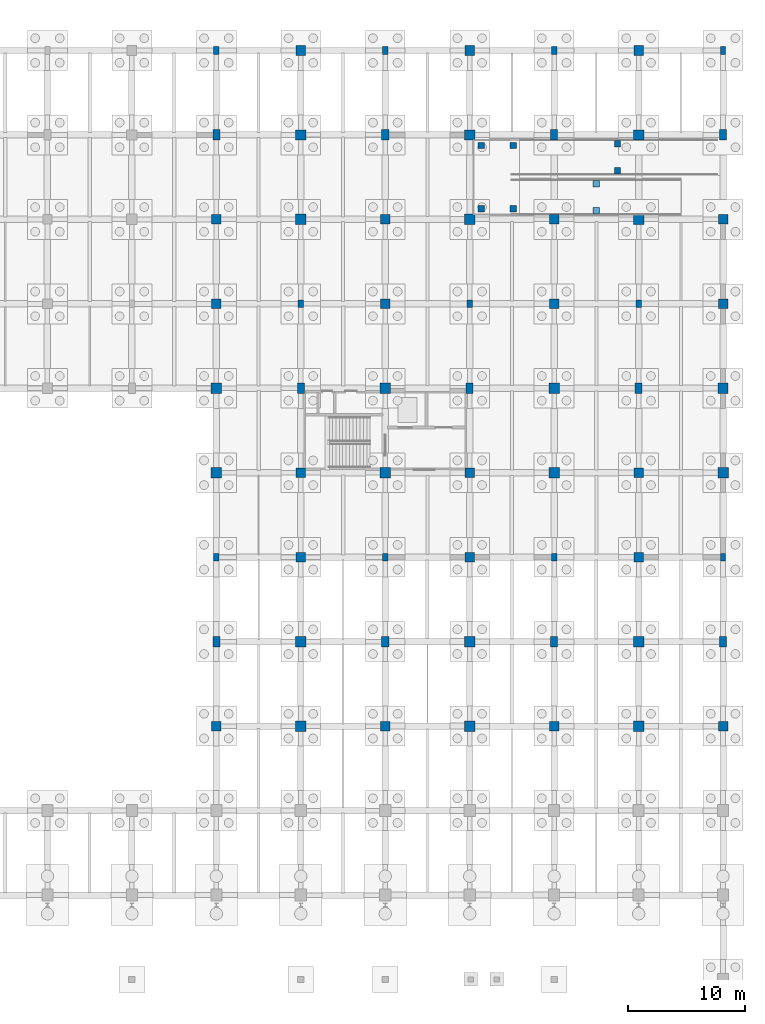
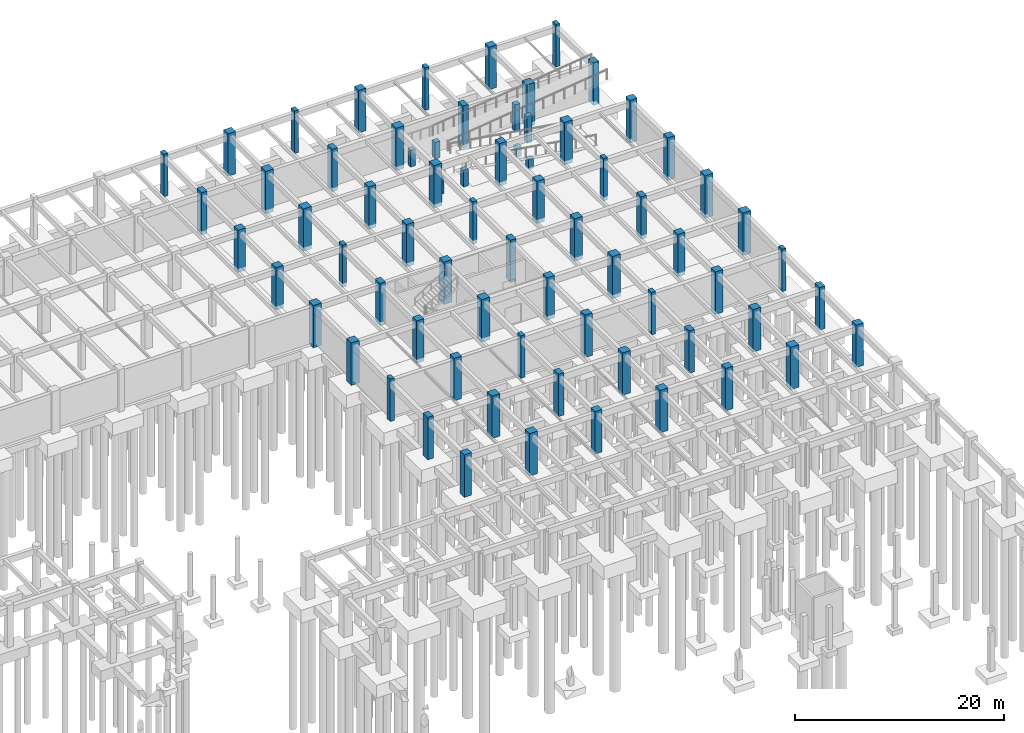
# One storey, part 23 of 47: 71 columns.
"""IFC4 building model written with IfcOpenShell, lengths in metres."""

from ifc_helpers import new_model, si_unit, direction, frame, origin, origin_2d, place, context, subcontext, project, spatial, rectangle, extrude, material, material_profile, profile_set, type_object, element, save


model = new_model("IFC4")

# Units and contexts
model_context = context("Model", 3, precision=1e-05, world=origin(), true_north=direction((0.0, 1.0)))
body_context = subcontext(model_context, "Body", "Model", "MODEL_VIEW")
ifc_project = project(units=[si_unit("LENGTHUNIT", "METRE"), si_unit("AREAUNIT", "SQUARE_METRE"), si_unit("VOLUMEUNIT", "CUBIC_METRE"), si_unit("PLANEANGLEUNIT", "RADIAN"), si_unit("MASSUNIT", "GRAM", prefix="KILO")], contexts=[model_context])

# Site, building, storey
site_placement = place(None, origin())
site = spatial("IfcSite", under=ifc_project, at=site_placement, CompositionType="ELEMENT")
building_placement = place(site_placement, origin())
building = spatial("IfcBuilding", under=site, at=building_placement, Name="Thalmaran Polytechnic", CompositionType="ELEMENT")
storey_placement = place(building_placement, frame((0.0, 0.0, -4.5)))
storey = spatial("IfcBuildingStorey", under=building, at=storey_placement, Name="B1", CompositionType="ELEMENT", Elevation=-4.5)

# Columns
ifc_material_1 = material(Name="Concrete C50/60", Category="concrete")
ifc_material_profile_1 = material_profile(ifc_material_1, rectangle(XDim=0.89990234375, YDim=0.89990234375, at=origin_2d()), Name="RC 900x900")
ifc_profile_set_1 = profile_set([ifc_material_profile_1], Name="Concrete C50/60")
column_type_1 = type_object("IfcColumnType", Name="COL-C01", PredefinedType="COLUMN", material=ifc_profile_set_1)
for number, where, z_axis, x_axis, name in (
    (1, (129.60009765625, 86.39990234375, -0.449951171875), (0.0, 0.0, 1.0), (1.0, 0.0, 0.0), "Column C01 B1 (18,12)"),
    (2, (136.800048828125, 64.800048828125, -0.449951171875), (0.0, 0.0, 1.0), (1.0, 0.0, 0.0), "Column C01 B1 (19,9)"),
    (3, (136.800048828125, 108.0, -0.449951171875), (0.0, 0.0, 1.0), (1.0, 0.0, 0.0), "Column C01 B1 (19,15)"),
    (4, (144.0, 86.39990234375, -0.449951171875), (0.0, 0.0, 1.0), (1.0, 0.0, 0.0), "Column C01 B1 (20,12)"),
    (5, (151.199951171875, 64.800048828125, -0.449951171875), (0.0, 0.0, 1.0), (1.0, 0.0, 0.0), "Column C01 B1 (21,9)"),
    (6, (151.199951171875, 108.0, -0.449951171875), (0.0, 0.0, 1.0), (1.0, 0.0, 0.0), "Column C01 B1 (21,15)"),
    (7, (158.39990234375, 86.39990234375, -0.449951171875), (0.0, 0.0, 1.0), (1.0, 0.0, 0.0), "Column C01 B1 (22,12)"),
    (8, (165.60009765625, 64.800048828125, -0.449951171875), (0.0, 0.0, 1.0), (1.0, 0.0, 0.0), "Column C01 B1 (23,9)"),
    (9, (165.60009765625, 108.0, -0.449951171875), (0.0, 0.0, 1.0), (1.0, 0.0, 0.0), "Column C01 B1 (23,15)"),
    (10, (172.800048828125, 86.39990234375, -0.449951171875), (0.0, 0.0, 1.0), (1.0, 0.0, 0.0), "Column C01 B1 (24,12)"),
):
    element("IfcColumn", number, at=place(storey_placement, frame(where, z_axis=z_axis, x_axis=x_axis)), inside=storey, type_object=column_type_1, Name=name, PredefinedType="COLUMN", context=body_context, shape_type="SweptSolid", body=[
        extrude(rectangle(XDim=0.89990234375, YDim=0.89990234375, at=origin_2d()), origin(), (0.0, 0.0, 1.0), 4.949951171875),
    ])
ifc_material_profile_2 = material_profile(ifc_material_1, rectangle(XDim=0.800048828125, YDim=0.800048828125, at=origin_2d()), Name="RC 800x800")
ifc_profile_set_2 = profile_set([ifc_material_profile_2], Name="Concrete C50/60")
column_type_2 = type_object("IfcColumnType", Name="COL-C03", PredefinedType="COLUMN", material=ifc_profile_set_2)
for number, where, z_axis, x_axis, name in (
    (11, (129.60009765625, 64.800048828125, -0.449951171875), (0.0, 0.0, 1.0), (1.0, 0.0, 0.0), "Column C03 B1 (18,9)"),
    (12, (129.60009765625, 108.0, -0.449951171875), (0.0, 0.0, 1.0), (1.0, 0.0, 0.0), "Column C03 B1 (18,15)"),
    (13, (136.800048828125, 86.39990234375, -0.449951171875), (0.0, 0.0, 1.0), (1.0, 0.0, 0.0), "Column C03 B1 (19,12)"),
    (14, (144.0, 64.800048828125, -0.449951171875), (0.0, 0.0, 1.0), (1.0, 0.0, 0.0), "Column C03 B1 (20,9)"),
    (15, (144.0, 108.0, -0.449951171875), (0.0, 0.0, 1.0), (1.0, 0.0, 0.0), "Column C03 B1 (20,15)"),
    (16, (151.199951171875, 86.39990234375, -0.449951171875), (0.0, 0.0, 1.0), (1.0, 0.0, 0.0), "Column C03 B1 (21,12)"),
    (17, (158.39990234375, 64.800048828125, -0.449951171875), (0.0, 0.0, 1.0), (1.0, 0.0, 0.0), "Column C03 B1 (22,9)"),
    (18, (158.39990234375, 108.0, -0.449951171875), (0.0, 0.0, 1.0), (1.0, 0.0, 0.0), "Column C03 B1 (22,15)"),
    (19, (165.60009765625, 86.39990234375, -0.449951171875), (0.0, 0.0, 1.0), (1.0, 0.0, 0.0), "Column C03 B1 (23,12)"),
    (20, (172.800048828125, 64.800048828125, -0.449951171875), (0.0, 0.0, 1.0), (1.0, 0.0, 0.0), "Column C03 B1 (24,9)"),
    (21, (172.800048828125, 108.0, -0.449951171875), (0.0, 0.0, 1.0), (1.0, 0.0, 0.0), "Column C03 B1 (24,15)"),
):
    element("IfcColumn", number, at=place(storey_placement, frame(where, z_axis=z_axis, x_axis=x_axis)), inside=storey, type_object=column_type_2, Name=name, PredefinedType="COLUMN", context=body_context, shape_type="SweptSolid", body=[
        extrude(rectangle(XDim=0.800048828125, YDim=0.800048828125, at=origin_2d()), origin(), (0.0, 0.0, 1.0), 4.949951171875),
    ])
ifc_material_2 = material(Name="Concrete C40/50", Category="concrete")
ifc_material_profile_3 = material_profile(ifc_material_2, rectangle(XDim=0.550048828125, YDim=0.550048828125, at=origin_2d()), Name="RC 550x550")
ifc_profile_set_3 = profile_set([ifc_material_profile_3], Name="Concrete C40/50")
column_type_3 = type_object("IfcColumnType", Name="COL-C08", PredefinedType="COLUMN", material=ifc_profile_set_3)
for number, where, z_axis, x_axis, name in (
    (22, (152.199951171875, 108.89990234375, 0.0), (0.0, 0.0, 1.0), (1.0, 0.0, 0.0), "Vehicle Ramp Landing Post"),
    (23, (152.199951171875, 114.300048828125, 0.0), (0.0, 0.0, 1.0), (1.0, 0.0, 0.0), "Vehicle Ramp Landing Post"),
    (24, (154.89990234375, 108.89990234375, 0.0), (0.0, 0.0, 1.0), (1.0, 0.0, 0.0), "Vehicle Ramp Landing Post"),
    (25, (154.89990234375, 114.300048828125, 0.0), (0.0, 0.0, 1.0), (1.0, 0.0, 0.0), "Vehicle Ramp Landing Post"),
):
    element("IfcColumn", number, at=place(storey_placement, frame(where, z_axis=z_axis, x_axis=x_axis)), inside=storey, type_object=column_type_3, Name=name, PredefinedType="COLUMN", context=body_context, shape_type="SweptSolid", body=[
        extrude(rectangle(XDim=0.550048828125, YDim=0.550048828125, at=origin_2d()), origin(), (0.0, 0.0, 1.0), 1.919921875),
    ])
for number, where, z_axis, x_axis, name in (
    (26, (162.0, 108.75, -0.35009765625), (0.0, 0.0, 1.0), (1.0, 0.0, 0.0), "Vehicle Ramp Lower Slab Support Pier"),
    (27, (162.0, 111.050048828125, -0.35009765625), (0.0, 0.0, 1.0), (1.0, 0.0, 0.0), "Vehicle Ramp Lower Slab Support Pier"),
):
    element("IfcColumn", number, at=place(storey_placement, frame(where, z_axis=z_axis, x_axis=x_axis)), inside=storey, type_object=column_type_3, Name=name, PredefinedType="COLUMN", context=body_context, shape_type="SweptSolid", body=[
        extrude(rectangle(XDim=0.550048828125, YDim=0.550048828125, at=origin_2d()), origin(), (0.0, 0.0, 1.0), 1.195068359375),
    ])
for number, where, z_axis, x_axis, name in (
    (28, (163.800048828125, 112.14990234375, 0.0), (0.0, 0.0, 1.0), (1.0, 0.0, 0.0), "Vehicle Ramp Upper Slab Support Pier"),
    (29, (163.800048828125, 114.449951171875, 0.0), (0.0, 0.0, 1.0), (1.0, 0.0, 0.0), "Vehicle Ramp Upper Slab Support Pier"),
):
    element("IfcColumn", number, at=place(storey_placement, frame(where, z_axis=z_axis, x_axis=x_axis)), inside=storey, type_object=column_type_3, Name=name, PredefinedType="COLUMN", context=body_context, shape_type="SweptSolid", body=[
        extrude(rectangle(XDim=0.550048828125, YDim=0.550048828125, at=origin_2d()), origin(), (0.0, 0.0, 1.0), 3.094970703125),
    ])
ifc_material_profile_4 = material_profile(ifc_material_1, rectangle(XDim=0.60009765625, YDim=0.89990234375, at=origin_2d()), Name="RC 600x900")
ifc_profile_set_4 = profile_set([ifc_material_profile_4], Name="Concrete C50/60")
column_type_4 = type_object("IfcColumnType", Name="COL-C11", PredefinedType="COLUMN", material=ifc_profile_set_4)
for number, where, z_axis, x_axis, name in (
    (30, (129.60009765625, 72.0, -0.449951171875), (0.0, 0.0, 1.0), (1.0, 0.0, 0.0), "Column C11 B1 (18,10)"),
    (31, (129.60009765625, 115.199951171875, -0.449951171875), (0.0, 0.0, 1.0), (1.0, 0.0, 0.0), "Column C11 B1 (18,16)"),
    (32, (136.800048828125, 93.60009765625, -0.449951171875), (0.0, 0.0, 1.0), (1.0, 0.0, 0.0), "Column C11 B1 (19,13)"),
    (33, (144.0, 72.0, -0.449951171875), (0.0, 0.0, 1.0), (1.0, 0.0, 0.0), "Column C11 B1 (20,10)"),
    (34, (144.0, 115.199951171875, -0.449951171875), (0.0, 0.0, 1.0), (1.0, 0.0, 0.0), "Column C11 B1 (20,16)"),
    (35, (151.199951171875, 93.60009765625, -0.449951171875), (0.0, 0.0, 1.0), (1.0, 0.0, 0.0), "Column C11 B1 (21,13)"),
    (36, (158.39990234375, 72.0, -0.449951171875), (0.0, 0.0, 1.0), (1.0, 0.0, 0.0), "Column C11 B1 (22,10)"),
    (37, (158.39990234375, 115.199951171875, -0.449951171875), (0.0, 0.0, 1.0), (1.0, 0.0, 0.0), "Column C11 B1 (22,16)"),
    (38, (165.60009765625, 93.60009765625, -0.449951171875), (0.0, 0.0, 1.0), (1.0, 0.0, 0.0), "Column C11 B1 (23,13)"),
    (39, (172.800048828125, 72.0, -0.449951171875), (0.0, 0.0, 1.0), (1.0, 0.0, 0.0), "Column C11 B1 (24,10)"),
    (40, (172.800048828125, 115.199951171875, -0.449951171875), (0.0, 0.0, 1.0), (1.0, 0.0, 0.0), "Column C11 B1 (24,16)"),
):
    element("IfcColumn", number, at=place(storey_placement, frame(where, z_axis=z_axis, x_axis=x_axis)), inside=storey, type_object=column_type_4, Name=name, PredefinedType="COLUMN", context=body_context, shape_type="SweptSolid", body=[
        extrude(rectangle(XDim=0.60009765625, YDim=0.89990234375, at=origin_2d()), origin(), (0.0, 0.0, 1.0), 4.949951171875),
    ])
ifc_material_profile_5 = material_profile(ifc_material_2, rectangle(XDim=0.449951171875, YDim=0.64990234375, at=origin_2d()), Name="RC 450x650")
ifc_profile_set_5 = profile_set([ifc_material_profile_5], Name="Concrete C40/50")
column_type_5 = type_object("IfcColumnType", Name="COL-PL1", PredefinedType="PILASTER", material=ifc_profile_set_5)
for number, where, z_axis, x_axis, name in (
    (41, (129.60009765625, 79.199951171875, -0.449951171875), (0.0, 0.0, 1.0), (1.0, 0.0, 0.0), "Column PL1 B1 (18,11)"),
    (42, (129.60009765625, 122.39990234375, -0.449951171875), (0.0, 0.0, 1.0), (1.0, 0.0, 0.0), "Column PL1 B1 (18,17)"),
    (43, (136.800048828125, 100.800048828125, -0.449951171875), (0.0, 0.0, 1.0), (1.0, 0.0, 0.0), "Column PL1 B1 (19,14)"),
    (44, (144.0, 79.199951171875, -0.449951171875), (0.0, 0.0, 1.0), (1.0, 0.0, 0.0), "Column PL1 B1 (20,11)"),
    (45, (144.0, 122.39990234375, -0.449951171875), (0.0, 0.0, 1.0), (1.0, 0.0, 0.0), "Column PL1 B1 (20,17)"),
    (46, (151.199951171875, 100.800048828125, -0.449951171875), (0.0, 0.0, 1.0), (1.0, 0.0, 0.0), "Column PL1 B1 (21,14)"),
    (47, (158.39990234375, 79.199951171875, -0.449951171875), (0.0, 0.0, 1.0), (1.0, 0.0, 0.0), "Column PL1 B1 (22,11)"),
    (48, (158.39990234375, 122.39990234375, -0.449951171875), (0.0, 0.0, 1.0), (1.0, 0.0, 0.0), "Column PL1 B1 (22,17)"),
    (49, (165.60009765625, 100.800048828125, -0.449951171875), (0.0, 0.0, 1.0), (1.0, 0.0, 0.0), "Column PL1 B1 (23,14)"),
    (50, (172.800048828125, 79.199951171875, -0.449951171875), (0.0, 0.0, 1.0), (1.0, 0.0, 0.0), "Column PL1 B1 (24,11)"),
    (51, (172.800048828125, 122.39990234375, -0.449951171875), (0.0, 0.0, 1.0), (1.0, 0.0, 0.0), "Column PL1 B1 (24,17)"),
):
    element("IfcColumn", number, at=place(storey_placement, frame(where, z_axis=z_axis, x_axis=x_axis)), inside=storey, type_object=column_type_5, Name=name, PredefinedType="PILASTER", context=body_context, shape_type="SweptSolid", body=[
        extrude(rectangle(XDim=0.449951171875, YDim=0.64990234375, at=origin_2d()), origin(), (0.0, 0.0, 1.0), 4.949951171875),
    ])
ifc_material_profile_6 = material_profile(ifc_material_1, rectangle(XDim=0.8798828125, YDim=0.8798828125, at=origin_2d()), Name="RC 880x880")
ifc_profile_set_6 = profile_set([ifc_material_profile_6], Name="Concrete C50/60")
column_type_6 = type_object("IfcColumnType", Name="COL-ZC01", PredefinedType="COLUMN", material=ifc_profile_set_6)
for number, where, z_axis, x_axis, name in (
    (52, (129.60009765625, 93.60009765625, -0.449951171875), (0.0, 0.0, 1.0), (1.0, 0.0, 0.0), "Column ZC01 B1 (18,13)"),
    (53, (136.800048828125, 72.0, -0.449951171875), (0.0, 0.0, 1.0), (1.0, 0.0, 0.0), "Column ZC01 B1 (19,10)"),
    (54, (136.800048828125, 115.199951171875, -0.449951171875), (0.0, 0.0, 1.0), (1.0, 0.0, 0.0), "Column ZC01 B1 (19,16)"),
    (55, (144.0, 93.60009765625, -0.449951171875), (0.0, 0.0, 1.0), (1.0, 0.0, 0.0), "Column ZC01 B1 (20,13)"),
    (56, (151.199951171875, 72.0, -0.449951171875), (0.0, 0.0, 1.0), (1.0, 0.0, 0.0), "Column ZC01 B1 (21,10)"),
    (57, (151.199951171875, 115.199951171875, -0.449951171875), (0.0, 0.0, 1.0), (1.0, 0.0, 0.0), "Column ZC01 B1 (21,16)"),
    (58, (158.39990234375, 93.60009765625, -0.449951171875), (0.0, 0.0, 1.0), (1.0, 0.0, 0.0), "Column ZC01 B1 (22,13)"),
    (59, (165.60009765625, 72.0, -0.449951171875), (0.0, 0.0, 1.0), (1.0, 0.0, 0.0), "Column ZC01 B1 (23,10)"),
    (60, (165.60009765625, 115.199951171875, -0.449951171875), (0.0, 0.0, 1.0), (1.0, 0.0, 0.0), "Column ZC01 B1 (23,16)"),
    (61, (172.800048828125, 93.60009765625, -0.449951171875), (0.0, 0.0, 1.0), (1.0, 0.0, 0.0), "Column ZC01 B1 (24,13)"),
):
    element("IfcColumn", number, at=place(storey_placement, frame(where, z_axis=z_axis, x_axis=x_axis)), inside=storey, type_object=column_type_6, Name=name, PredefinedType="COLUMN", context=body_context, shape_type="SweptSolid", body=[
        extrude(rectangle(XDim=0.8798828125, YDim=0.8798828125, at=origin_2d()), origin(), (0.0, 0.0, 1.0), 4.949951171875),
    ])
ifc_material_profile_7 = material_profile(ifc_material_1, rectangle(XDim=0.820068359375, YDim=0.820068359375, at=origin_2d()), Name="RC 820x820")
ifc_profile_set_7 = profile_set([ifc_material_profile_7], Name="Concrete C50/60")
column_type_7 = type_object("IfcColumnType", Name="COL-ZC02", PredefinedType="COLUMN", material=ifc_profile_set_7)
for number, where, z_axis, x_axis, name in (
    (62, (129.60009765625, 100.800048828125, -0.449951171875), (0.0, 0.0, 1.0), (1.0, 0.0, 0.0), "Column ZC02 B1 (18,14)"),
    (63, (136.800048828125, 79.199951171875, -0.449951171875), (0.0, 0.0, 1.0), (1.0, 0.0, 0.0), "Column ZC02 B1 (19,11)"),
    (64, (136.800048828125, 122.39990234375, -0.449951171875), (0.0, 0.0, 1.0), (1.0, 0.0, 0.0), "Column ZC02 B1 (19,17)"),
    (65, (144.0, 100.800048828125, -0.449951171875), (0.0, 0.0, 1.0), (1.0, 0.0, 0.0), "Column ZC02 B1 (20,14)"),
    (66, (151.199951171875, 79.199951171875, -0.449951171875), (0.0, 0.0, 1.0), (1.0, 0.0, 0.0), "Column ZC02 B1 (21,11)"),
    (67, (151.199951171875, 122.39990234375, -0.449951171875), (0.0, 0.0, 1.0), (1.0, 0.0, 0.0), "Column ZC02 B1 (21,17)"),
    (68, (158.39990234375, 100.800048828125, -0.449951171875), (0.0, 0.0, 1.0), (1.0, 0.0, 0.0), "Column ZC02 B1 (22,14)"),
    (69, (165.60009765625, 79.199951171875, -0.449951171875), (0.0, 0.0, 1.0), (1.0, 0.0, 0.0), "Column ZC02 B1 (23,11)"),
    (70, (165.60009765625, 122.39990234375, -0.449951171875), (0.0, 0.0, 1.0), (1.0, 0.0, 0.0), "Column ZC02 B1 (23,17)"),
    (71, (172.800048828125, 100.800048828125, -0.449951171875), (0.0, 0.0, 1.0), (1.0, 0.0, 0.0), "Column ZC02 B1 (24,14)"),
):
    element("IfcColumn", number, at=place(storey_placement, frame(where, z_axis=z_axis, x_axis=x_axis)), inside=storey, type_object=column_type_7, Name=name, PredefinedType="COLUMN", context=body_context, shape_type="SweptSolid", body=[
        extrude(rectangle(XDim=0.820068359375, YDim=0.820068359375, at=origin_2d()), origin(), (0.0, 0.0, 1.0), 4.949951171875),
    ])

save(model, "model.ifc")
